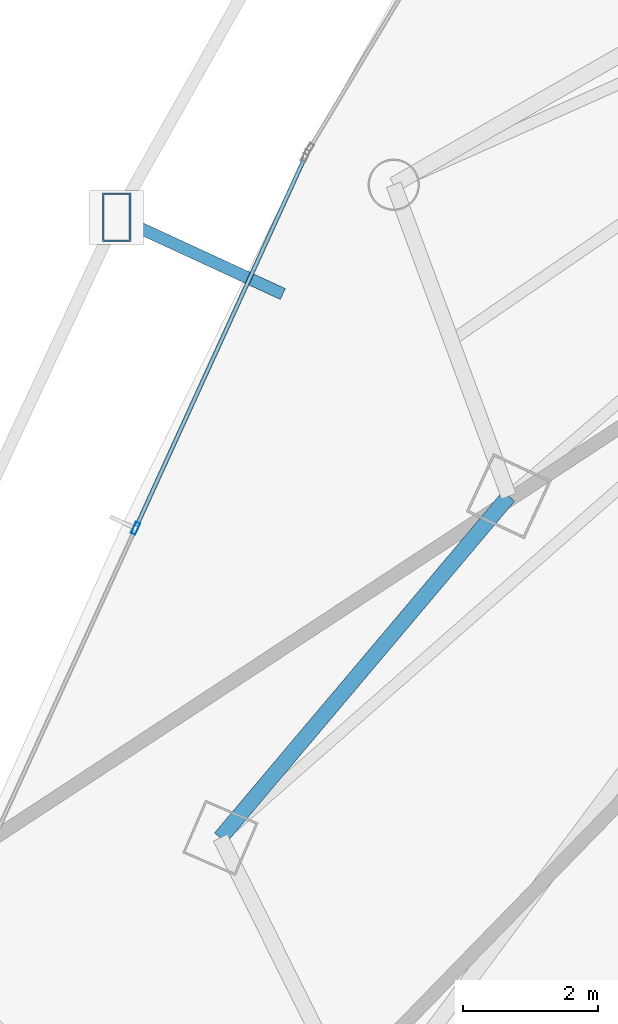
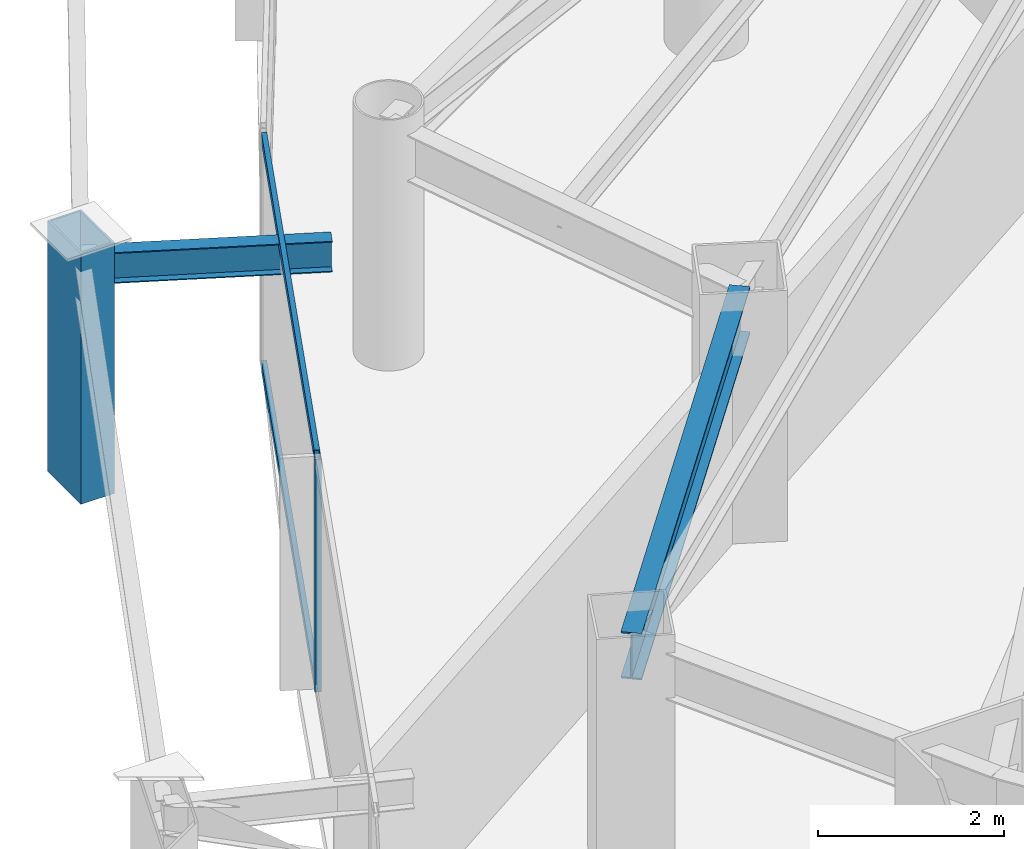
# One storey, part 8 of 33: 4 members, 2 beams, 1 element without a shape of its own.
"""IFC4 building model written with IfcOpenShell, lengths in metres."""

import ifcopenshell
import ifcopenshell.guid

model = None  # the IFC model being written
_history = None  # IfcOwnerHistory: only IFC2X3 demands one
_inside = {}  # id of a spatial element -> (the spatial element, [elements in it])
_under = {}  # id of a project, library or spatial element -> (it, [spatial elements below it])
_declared = {}  # id of a project -> (the project, [libraries it declares])
_typed = {}  # id of a type object -> (the type object, [elements of that type])
_made_of = {}  # id of a material, layer set ... -> (it, [elements and type objects made of it])


def new_model(schema):
    """Start an empty IFC model of exactly this schema.

    Asked for "IFC4X3", IfcOpenShell would pick the latest addendum, in which some entities
    have other attributes; the version numbers below select the first issue.
    IFC2X3 requires an IfcOwnerHistory on every rooted entity: one is made here for all.
    """
    global model, _history
    if schema == "IFC4X3":
        model = ifcopenshell.file(schema_version=(4, 3, 0, 0))
    else:
        model = ifcopenshell.file(schema=schema)
    _inside.clear()
    _under.clear()
    _declared.clear()
    _typed.clear()
    _made_of.clear()
    _history = None
    if model.schema == "IFC2X3":
        org = make("IfcOrganization", Name="unknown")
        user = make(
            "IfcPersonAndOrganization",
            ThePerson=make("IfcPerson", FamilyName="unknown"),
            TheOrganization=org,
        )
        app = make(
            "IfcApplication",
            ApplicationDeveloper=org,
            Version="unknown",
            ApplicationFullName="unknown",
            ApplicationIdentifier="unknown",
        )
        _history = make(
            "IfcOwnerHistory",
            OwningUser=user,
            OwningApplication=app,
            ChangeAction="ADDED",
            CreationDate=0,
        )
    return model


def make(cls, **values):
    """One entity of the class cls with the attributes given. An attribute that is None is left unset."""
    return model.create_entity(
        cls, **{name: value for name, value in values.items() if value is not None}
    )


def rooted(cls, **values):
    """An entity with a GlobalId (a new one), such as an element, a storey or a relation."""
    return make(cls, GlobalId=ifcopenshell.guid.new(), OwnerHistory=_history, **values)


def si_unit(unit_type, name, prefix=None):
    """IfcSIUnit, for example si_unit("LENGTHUNIT", "METRE", prefix="MILLI")."""
    return make("IfcSIUnit", UnitType=unit_type, Prefix=prefix, Name=name)


def assignment(units):
    """IfcUnitAssignment: the units of a project."""
    return None if units is None else make("IfcUnitAssignment", Units=units)


def point(xyz):
    """IfcCartesianPoint."""
    return None if xyz is None else make("IfcCartesianPoint", Coordinates=xyz)


def direction(xyz):
    """IfcDirection."""
    return None if xyz is None else make("IfcDirection", DirectionRatios=xyz)


def frame(location, z_axis=None, x_axis=None):
    """IfcAxis2Placement3D, a coordinate frame: its origin and axes. An axis left out is left unset."""
    return make(
        "IfcAxis2Placement3D",
        Location=point(location),
        Axis=direction(z_axis),
        RefDirection=direction(x_axis),
    )


def frame_2d(location, x_axis=None):
    """IfcAxis2Placement2D, a coordinate frame in the plane: its origin and x axis."""
    return make(
        "IfcAxis2Placement2D", Location=point(location), RefDirection=direction(x_axis)
    )


def origin():
    """The frame at (0, 0, 0) with its axes left unset."""
    return frame((0.0, 0.0, 0.0))


def origin_2d():
    """The frame at (0, 0) in the plane with its x axis left unset."""
    return frame_2d((0.0, 0.0))


def place(relative_to, where):
    """IfcLocalPlacement: puts the frame where relative to a parent placement (None: the world)."""
    return make(
        "IfcLocalPlacement", PlacementRelTo=relative_to, RelativePlacement=where
    )


def context(
    kind, dimensions, precision=None, world=None, true_north=None, identifier=None
):
    """IfcGeometricRepresentationContext, for example the 3D "Model" context."""
    return make(
        "IfcGeometricRepresentationContext",
        ContextIdentifier=identifier,
        ContextType=kind,
        CoordinateSpaceDimension=dimensions,
        Precision=precision,
        WorldCoordinateSystem=world,
        TrueNorth=true_north,
    )


def subcontext(parent, identifier, kind, view, scale=None):
    """IfcGeometricRepresentationSubContext, for example "Body" below "Model"."""
    return make(
        "IfcGeometricRepresentationSubContext",
        ContextIdentifier=identifier,
        ContextType=kind,
        ParentContext=parent,
        TargetScale=scale,
        TargetView=view,
    )


def project(units=None, contexts=None):
    """IfcProject with its units and contexts."""
    return rooted(
        "IfcProject",
        Name="project",
        RepresentationContexts=contexts,
        UnitsInContext=assignment(units),
    )


def spatial(cls, under=None, at=None, **own):
    """A site, building, storey or space (cls), placed at a placement, below another one or the project."""
    s = rooted(cls, ObjectPlacement=at, **own)
    if under is not None:
        _under.setdefault(under.id(), (under, []))[1].append(s)
    return s


def profile(cls, at=None, kind="AREA", **sizes):
    """A parametric profile (cls). Its sizes go by their IFC names, for example OverallWidth=200.0."""
    return make(cls, ProfileType=kind, Position=at, **sizes)


def hollow_rectangle(**sizes):
    """IfcRectangleHollowProfileDef."""
    return profile("IfcRectangleHollowProfileDef", **sizes)


def i_section(**sizes):
    """IfcIShapeProfileDef."""
    return profile("IfcIShapeProfileDef", **sizes)


def extrude(swept, where, along, depth):
    """IfcExtrudedAreaSolid: the profile swept, set in the frame where, extruded along a direction by depth."""
    return make(
        "IfcExtrudedAreaSolid",
        SweptArea=swept,
        Position=where,
        ExtrudedDirection=direction(along),
        Depth=depth,
    )


def shape(context_of_items, identifier, shape_type, items):
    """IfcShapeRepresentation: the items that make up one representation, for example the "Body"."""
    return make(
        "IfcShapeRepresentation",
        ContextOfItems=context_of_items,
        RepresentationIdentifier=identifier,
        RepresentationType=shape_type,
        Items=items,
    )


def material(Name=None, Category=None):
    """IfcMaterial."""
    return make("IfcMaterial", Name=Name, Category=Category)


def layer(
    of_material, thickness, ventilated=None, Name=None, Category=None, Priority=None
):
    """IfcMaterialLayer: one layer of a wall or slab, of a material (None: an air gap)."""
    return make(
        "IfcMaterialLayer",
        Material=of_material,
        LayerThickness=thickness,
        IsVentilated=ventilated,
        Name=Name,
        Category=Category,
        Priority=Priority,
    )


def layer_set(layers, Name=None):
    """IfcMaterialLayerSet."""
    return make("IfcMaterialLayerSet", MaterialLayers=layers, LayerSetName=Name)


def material_profile(
    of_material, cross_section, Name=None, Category=None, Priority=None
):
    """IfcMaterialProfile: a cross section and its material."""
    return make(
        "IfcMaterialProfile",
        Name=Name,
        Material=of_material,
        Profile=cross_section,
        Priority=Priority,
        Category=Category,
    )


def profile_set(profiles, Name=None, composite=None):
    """IfcMaterialProfileSet."""
    return make(
        "IfcMaterialProfileSet",
        Name=Name,
        MaterialProfiles=profiles,
        CompositeProfile=composite,
    )


def made_of(thing, what):
    """Note that an element or type object is made of a material, layer set ...; save() writes the relation."""
    if what is not None:
        _made_of.setdefault(what.id(), (what, []))[1].append(thing)
    return thing


def type_object(cls, material=None, **own):
    """A type object (cls), such as IfcWallType, which elements share."""
    return made_of(rooted(cls, **own), material)


def element(
    cls,
    number,
    at=None,
    inside=None,
    cuts=None,
    type_object=None,
    material=None,
    context=None,
    identifier="Body",
    shape_type=None,
    held_by="IfcProductDefinitionShape",
    body=None,
    shapes=None,
    **own,
):
    """One element of the class cls, such as IfcWall. Its Tag is "e" and its number.

    at: its placement. inside: the storey or other place that contains it. cuts: it is an
    opening in that element (IfcRelVoidsElement). A single representation is given by context,
    identifier, shape_type and body (its items); several are given by shapes. held_by: the class
    of the entity that holds the representations. save() writes the other relations.
    """
    e = rooted(cls, Tag="e%d" % number, ObjectPlacement=at, **own)
    if body is not None:
        shapes = [shape(context, identifier, shape_type, body)]
    if shapes is not None:
        e.Representation = make(held_by, Representations=shapes)
    if inside is not None:
        _inside.setdefault(inside.id(), (inside, []))[1].append(e)
    if cuts is not None:
        rooted(
            "IfcRelVoidsElement", RelatingBuildingElement=cuts, RelatedOpeningElement=e
        )
    if type_object is not None:
        _typed.setdefault(type_object.id(), (type_object, []))[1].append(e)
    return made_of(e, material)


def aggregate(whole, parts):
    """IfcRelAggregates: a whole, such as a stair, and the parts it consists of."""
    return rooted("IfcRelAggregates", RelatingObject=whole, RelatedObjects=parts)


def save(model, path):
    """Write the relations noted so far, then the file.

    IfcRelAggregates (storeys below a building ...), IfcRelContainedInSpatialStructure (elements
    in a storey), IfcRelDefinesByType, IfcRelAssociatesMaterial and IfcRelDeclares: one each for
    every whole, place, type object, material and project.
    """
    for whole, parts in _under.values():
        aggregate(whole, parts)
    for where, things in _inside.values():
        rooted(
            "IfcRelContainedInSpatialStructure",
            RelatedElements=things,
            RelatingStructure=where,
        )
    for kind, things in _typed.values():
        rooted("IfcRelDefinesByType", RelatedObjects=things, RelatingType=kind)
    for what, things in _made_of.values():
        rooted("IfcRelAssociatesMaterial", RelatedObjects=things, RelatingMaterial=what)
    for by, libraries in _declared.values():
        rooted("IfcRelDeclares", RelatingContext=by, RelatedDefinitions=libraries)
    model.write(path)


model = new_model("IFC4")

# Units and contexts
model_context = context("Model", 3, precision=1e-05, world=origin(), true_north=direction((0.0, 1.0)))
body_context = subcontext(model_context, "Body", "Model", "MODEL_VIEW")
ifc_project = project(units=[si_unit("LENGTHUNIT", "METRE"), si_unit("AREAUNIT", "SQUARE_METRE"), si_unit("VOLUMEUNIT", "CUBIC_METRE"), si_unit("PLANEANGLEUNIT", "RADIAN"), si_unit("MASSUNIT", "GRAM", prefix="KILO")], contexts=[model_context])

# Site, building, storey
site_placement = place(None, origin())
site = spatial("IfcSite", under=ifc_project, at=site_placement, CompositionType="ELEMENT")
building_placement = place(site_placement, origin())
building = spatial("IfcBuilding", under=site, at=building_placement, Name="Orvanel Arch Residences", CompositionType="ELEMENT")
storey_placement = place(building_placement, frame((0.0, 0.0, 87.35009765625)))
storey = spatial("IfcBuildingStorey", under=building, at=storey_placement, Name="L24", CompositionType="ELEMENT", Elevation=87.35009765625)

# Member
ifc_material_1 = material(Name="Structural steel AS/NZS 3678 Grade 350", Category="steel")
ifc_material_profile_1 = material_profile(ifc_material_1, hollow_rectangle(XDim=0.419921875, YDim=0.719970703125, WallThickness=0.02490234375, at=origin_2d()), Name="RHS720x420x25")
ifc_profile_set_1 = profile_set([ifc_material_profile_1], Name="Structural steel AS/NZS 3678 Grade 350")
member_type_1 = type_object("IfcMemberType", Name="CH-720RHS-EXT", PredefinedType="CHORD", material=ifc_profile_set_1)
member_1_placement = place(storey_placement, frame((10.556884765625, 23.77392578125, 0.0), z_axis=(0.0, 0.0, 1.0), x_axis=(1.0, 0.0, 0.0)))
element("IfcMember", 1, at=member_1_placement, inside=storey, type_object=member_type_1, Name="L24 Outer Perimeter Frame Post 03", PredefinedType="CHORD", context=body_context, shape_type="SweptSolid", body=[
    extrude(hollow_rectangle(XDim=0.419921875, YDim=0.719970703125, WallThickness=0.02490234375, at=origin_2d()), origin(), (0.0, 0.0, 1.0), 3.2998046875),
])

# Curtain wall, member
ifc_material_2 = material(Name="Bronze-anodised aluminium AA6063-T6", Category="aluminium")
ifc_layer = layer(ifc_material_2, 0.179931640625)
ifc_layer_set = layer_set([ifc_layer], Name="Bronze-anodised aluminium AA6063-T6")
curtain_wall_type = type_object("IfcCurtainWallType", Name="CW2-LOW-SYS", PredefinedType="NOTDEFINED", material=ifc_layer_set)
curtain_wall_placement = place(storey_placement, origin())
curtain_wall = element("IfcCurtainWall", 2, at=curtain_wall_placement, inside=storey, type_object=curtain_wall_type, Name="L24 CW2-LOW-SYS Unitised Curtain Wall", PredefinedType="NOTDEFINED")
ifc_material_profile_2 = material_profile(ifc_material_2, hollow_rectangle(XDim=0.070068359375, YDim=0.179931640625, WallThickness=0.00439453125, at=origin_2d()), Name="ALU180x70x4.5")
ifc_profile_set_2 = profile_set([ifc_material_profile_2], Name="Bronze-anodised aluminium AA6063-T6")
member_type_2 = type_object("IfcMemberType", Name="MUL-180x70", PredefinedType="MULLION", material=ifc_profile_set_2)
member_2_placement = place(storey_placement, frame((10.83740234375, 19.165771484375, 0.0), z_axis=(0.0, 0.0, 1.0), x_axis=(0.90969922077, -0.415267778343, 0.0)))
member_2 = element("IfcMember", 3, at=member_2_placement, type_object=member_type_2, Name="CW-S2 mullion 2", PredefinedType="MULLION", context=body_context, shape_type="SweptSolid", body=[
    extrude(hollow_rectangle(XDim=0.070068359375, YDim=0.179931640625, WallThickness=0.00439453125, at=origin_2d()), origin(), (0.0, 0.0, 1.0), 3.059814453125),
])

# Beams
ifc_material_3 = material(Name="Structural steel AS/NZS 3679.1 Grade 300 (300 MPa)", Category="steel")
ifc_material_profile_3 = material_profile(ifc_material_3, i_section(OverallWidth=0.177978515625, OverallDepth=0.406005859375, WebThickness=0.0078125, FlangeThickness=0.0126953125, at=origin_2d()), Name="410UB59.7")
ifc_profile_set_3 = profile_set([ifc_material_profile_3], Name="Structural steel AS/NZS 3679.1 Grade 300 (300 MPa)")
beam_type_1 = type_object("IfcBeamType", Name="OB-410UB-EXT", PredefinedType="SPANDREL", material=ifc_profile_set_3)
beam_1_placement = place(storey_placement, frame((13.01904296875, 22.636962890625, 2.85693359375), z_axis=(-0.907877688233, 0.419235140714, 0.0), x_axis=(-0.419235140714, -0.907877688233, 0.0)))
element("IfcBeam", 4, at=beam_1_placement, inside=storey, type_object=beam_type_1, Name="L24 Outer Frame Radial Tie Beam 03", PredefinedType="SPANDREL", context=body_context, shape_type="SweptSolid", body=[
    extrude(i_section(OverallWidth=0.177978515625, OverallDepth=0.406005859375, WebThickness=0.0078125, FlangeThickness=0.0126953125, at=origin_2d()), origin(), (0.0, 0.0, 1.0), 2.7119140625),
])
ifc_material_profile_4 = material_profile(ifc_material_3, i_section(OverallWidth=0.22900390625, OverallDepth=0.612060546875, WebThickness=0.011962890625, FlangeThickness=0.01953125, at=origin_2d()), Name="610UB125")
ifc_profile_set_4 = profile_set([ifc_material_profile_4], Name="Structural steel AS/NZS 3679.1 Grade 300 (300 MPa)")
beam_type_2 = type_object("IfcBeamType", Name="SP-610UB", PredefinedType="SPANDREL", material=ifc_profile_set_4)
beam_2_placement = place(storey_placement, frame((16.366943359375, 19.64208984375, 2.75390625), z_axis=(-0.644950329775, -0.764224490659, 0.0), x_axis=(0.764224490659, -0.644950329775, 0.0)))
element("IfcBeam", 5, at=beam_2_placement, inside=storey, type_object=beam_type_2, Name="L24 Perimeter Spandrel Beam 01", PredefinedType="SPANDREL", context=body_context, shape_type="SweptSolid", body=[
    extrude(i_section(OverallWidth=0.22900390625, OverallDepth=0.612060546875, WebThickness=0.011962890625, FlangeThickness=0.01953125, at=origin_2d()), origin(), (0.0, 0.0, 1.0), 6.623779296875),
])

# Member
ifc_material_profile_5 = material_profile(ifc_material_2, hollow_rectangle(XDim=0.06005859375, YDim=0.135009765625, WallThickness=0.00390625, at=origin_2d()), Name="ALU135x60x4")
ifc_profile_set_5 = profile_set([ifc_material_profile_5], Name="Bronze-anodised aluminium AA6063-T6")
member_type_3 = type_object("IfcMemberType", Name="TRN-135x60", PredefinedType="USERDEFINED", material=ifc_profile_set_5)
member_3_placement = place(storey_placement, frame((13.342041015625, 24.65234375, 0.02978515625), z_axis=(-0.415290152235, -0.909689007, 0.0), x_axis=(0.909689007, -0.415290152235, 0.0)))
member_3 = element("IfcMember", 6, at=member_3_placement, type_object=member_type_3, Name="CW-S2 transom 1.1", ObjectType="TRANSOM", PredefinedType="USERDEFINED", context=body_context, shape_type="SweptSolid", body=[
    extrude(hollow_rectangle(XDim=0.06005859375, YDim=0.135009765625, WallThickness=0.00390625, at=origin_2d()), origin(), (0.0, 0.0, 1.0), 5.996337890625),
])

member_4_placement = place(storey_placement, frame((13.342041015625, 24.65234375, 3.02978515625), z_axis=(-0.415290152235, -0.909689007, 0.0), x_axis=(0.909689007, -0.415290152235, 0.0)))
member_4 = element("IfcMember", 7, at=member_4_placement, type_object=member_type_3, Name="CW-S2 transom 1.2", ObjectType="TRANSOM", PredefinedType="USERDEFINED", context=body_context, shape_type="SweptSolid", body=[
    extrude(hollow_rectangle(XDim=0.06005859375, YDim=0.135009765625, WallThickness=0.00390625, at=origin_2d()), origin(), (0.0, 0.0, 1.0), 5.996337890625),
])

aggregate(curtain_wall, [member_2, member_3, member_4])

save(model, "model.ifc")
